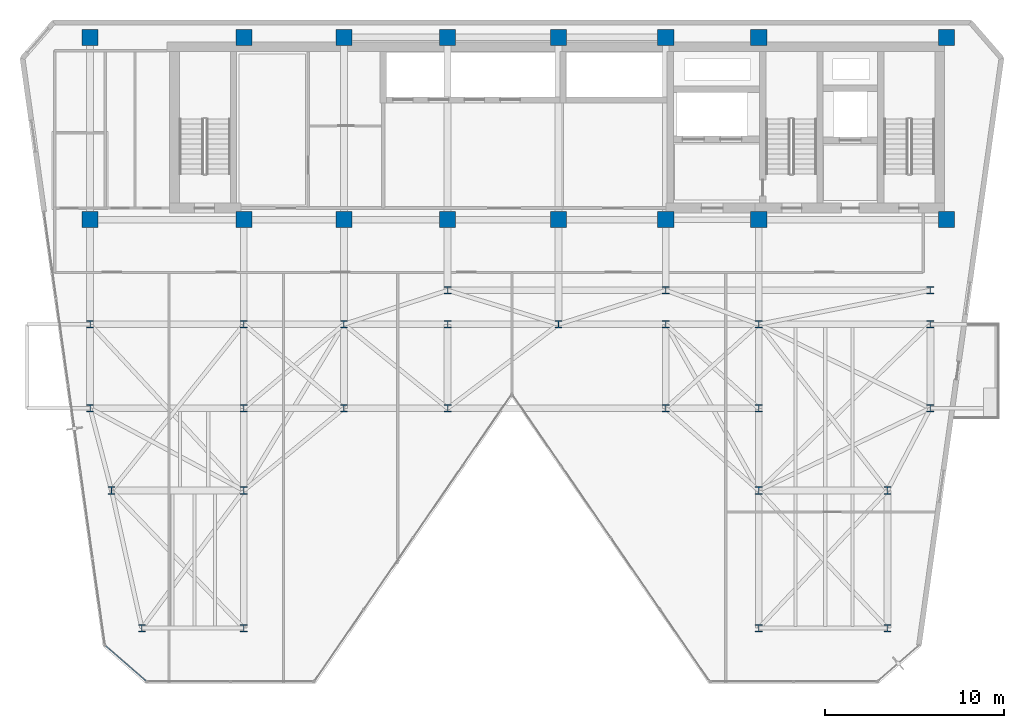
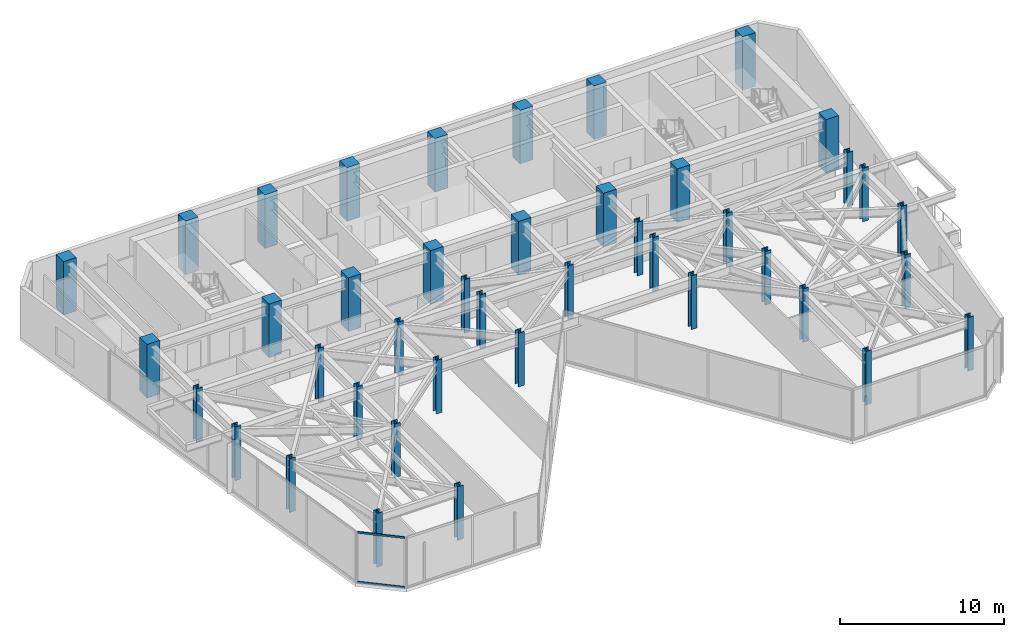
# One storey, part 1 of 27: 42 columns, 2 members, 1 element without a shape of its own.
"""IFC4 building model written with IfcOpenShell, lengths in metres."""

from ifc_helpers import new_model, si_unit, direction, frame, origin, origin_2d, place, context, subcontext, project, spatial, rectangle, hollow_rectangle, i_section, extrude, material, layer, layer_set, material_profile, profile_set, type_object, element, aggregate, save


model = new_model("IFC4")

# Units and contexts
model_context = context("Model", 3, precision=1e-05, world=origin(), true_north=direction((0.0, 1.0)))
body_context = subcontext(model_context, "Body", "Model", "MODEL_VIEW")
ifc_project = project(units=[si_unit("LENGTHUNIT", "METRE"), si_unit("AREAUNIT", "SQUARE_METRE"), si_unit("VOLUMEUNIT", "CUBIC_METRE"), si_unit("PLANEANGLEUNIT", "RADIAN"), si_unit("MASSUNIT", "GRAM", prefix="KILO")], contexts=[model_context])

# Site, building, storey
site_placement = place(None, origin())
site = spatial("IfcSite", under=ifc_project, at=site_placement, CompositionType="ELEMENT")
building_placement = place(site_placement, origin())
building = spatial("IfcBuilding", under=site, at=building_placement, Name="Kravanh Interchange Tower", CompositionType="ELEMENT")
storey_placement = place(building_placement, frame((0.0, 0.0, 164.5)))
storey = spatial("IfcBuildingStorey", under=building, at=storey_placement, Name="L39", CompositionType="ELEMENT", Elevation=164.5)

# Columns
ifc_material_1 = material(Name="Concrete C60/75", Category="concrete")
ifc_material_profile_1 = material_profile(ifc_material_1, rectangle(XDim=0.89990234375, YDim=0.89990234375, at=origin_2d()), Name="RC900X900")
ifc_profile_set_1 = profile_set([ifc_material_profile_1], Name="Concrete C60/75")
column_type_1 = type_object("IfcColumnType", Name="Column RC900X900 Concrete C60/75", PredefinedType="COLUMN", material=ifc_profile_set_1)
for number, where, z_axis, x_axis, name in (
    (1, (66.5, 47.550048828125, 0.0), (0.0, 0.0, 1.0), (1.0, 0.0, 0.0), "L39 Column CS01"),
    (2, (56.0, 47.550048828125, 0.0), (0.0, 0.0, 1.0), (1.0, 0.0, 0.0), "L39 Column CS02"),
    (3, (66.5, 37.35009765625, 0.0), (0.0, 0.0, 1.0), (1.0, 0.0, 0.0), "L39 Column CS03"),
    (4, (56.0, 37.35009765625, 0.0), (0.0, 0.0, 1.0), (1.0, 0.0, 0.0), "L39 Column CS04"),
    (5, (50.800048828125, 47.550048828125, 0.0), (0.0, 0.0, 1.0), (1.0, 0.0, 0.0), "L39 Column CS05"),
    (6, (50.800048828125, 37.35009765625, 0.0), (0.0, 0.0, 1.0), (1.0, 0.0, 0.0), "L39 Column CS06"),
    (7, (44.800048828125, 37.35009765625, 0.0), (0.0, 0.0, 1.0), (1.0, 0.0, 0.0), "L39 Column CS07"),
    (8, (44.800048828125, 47.550048828125, 0.0), (0.0, 0.0, 1.0), (1.0, 0.0, 0.0), "L39 Column CS08"),
    (9, (38.60009765625, 37.35009765625, 0.0), (0.0, 0.0, 1.0), (1.0, 0.0, 0.0), "L39 Column CS09"),
    (10, (38.60009765625, 47.550048828125, 0.0), (0.0, 0.0, 1.0), (1.0, 0.0, 0.0), "L39 Column CS10"),
    (11, (32.800048828125, 37.35009765625, 0.0), (0.0, 0.0, 1.0), (1.0, 0.0, 0.0), "L39 Column CS11"),
    (12, (32.800048828125, 47.550048828125, 0.0), (0.0, 0.0, 1.0), (1.0, 0.0, 0.0), "L39 Column CS12"),
    (13, (27.199951171875, 37.35009765625, 0.0), (0.0, 0.0, 1.0), (1.0, 0.0, 0.0), "L39 Column CS13"),
    (14, (27.199951171875, 47.550048828125, 0.0), (0.0, 0.0, 1.0), (1.0, 0.0, 0.0), "L39 Column CS14"),
    (15, (18.60009765625, 37.35009765625, 0.0), (0.0, 0.0, 1.0), (1.0, 0.0, 0.0), "L39 Column CS17"),
    (16, (18.60009765625, 47.550048828125, 0.0), (0.0, 0.0, 1.0), (1.0, 0.0, 0.0), "L39 Column CS18"),
):
    element("IfcColumn", number, at=place(storey_placement, frame(where, z_axis=z_axis, x_axis=x_axis)), inside=storey, type_object=column_type_1, Name=name, PredefinedType="COLUMN", context=body_context, shape_type="SweptSolid", body=[
        extrude(rectangle(XDim=0.89990234375, YDim=0.89990234375, at=origin_2d()), origin(), (0.0, 0.0, 1.0), 4.0),
    ])
ifc_material_2 = material(Name="Structural Steel S355", Category="steel")
ifc_material_profile_2 = material_profile(ifc_material_2, i_section(OverallWidth=0.408935546875, OverallDepth=0.425048828125, WebThickness=0.03271484375, FlangeThickness=0.052490234375, FilletRadius=0.030029296875, at=origin_2d()), Name="W14X283")
ifc_profile_set_2 = profile_set([ifc_material_profile_2], Name="Structural Steel S355")
column_type_2 = type_object("IfcColumnType", Name="Column W14X283 Structural Steel S355", PredefinedType="COLUMN", material=ifc_profile_set_2)
for number, where, z_axis, x_axis, name in (
    (17, (21.5, 14.5, 0.0), (0.0, 0.0, 1.0), (1.0, 0.0, 0.0), "L39 Column CZ3_1"),
    (18, (18.60009765625, 26.800048828125, 0.0), (0.0, 0.0, 1.0), (1.0, 0.0, 0.0), "L39 Column CZ3_11"),
    (19, (27.199951171875, 26.800048828125, 0.0), (0.0, 0.0, 1.0), (1.0, 0.0, 0.0), "L39 Column CZ3_12"),
    (20, (32.800048828125, 26.800048828125, 0.0), (0.0, 0.0, 1.0), (1.0, 0.0, 0.0), "L39 Column CZ3_13"),
    (21, (38.60009765625, 26.800048828125, 0.0), (0.0, 0.0, 1.0), (1.0, 0.0, 0.0), "L39 Column CZ3_13B"),
    (22, (50.800048828125, 26.800048828125, 0.0), (0.0, 0.0, 1.0), (1.0, 0.0, 0.0), "L39 Column CZ3_14"),
    (23, (56.0, 26.800048828125, 0.0), (0.0, 0.0, 1.0), (1.0, 0.0, 0.0), "L39 Column CZ3_15"),
    (24, (65.60009765625, 26.800048828125, 0.0), (0.0, 0.0, 1.0), (1.0, 0.0, 0.0), "L39 Column CZ3_16"),
    (25, (18.60009765625, 31.5, 0.0), (0.0, 0.0, 1.0), (1.0, 0.0, 0.0), "L39 Column CZ3_17"),
    (26, (27.199951171875, 31.5, 0.0), (0.0, 0.0, 1.0), (1.0, 0.0, 0.0), "L39 Column CZ3_18"),
    (27, (32.800048828125, 31.5, 0.0), (0.0, 0.0, 1.0), (1.0, 0.0, 0.0), "L39 Column CZ3_19"),
    (28, (27.199951171875, 14.5, 0.0), (0.0, 0.0, 1.0), (1.0, 0.0, 0.0), "L39 Column CZ3_2"),
    (29, (38.60009765625, 31.5, 0.0), (0.0, 0.0, 1.0), (1.0, 0.0, 0.0), "L39 Column CZ3_20"),
    (30, (44.800048828125, 31.5, 0.0), (0.0, 0.0, 1.0), (1.0, 0.0, 0.0), "L39 Column CZ3_21"),
    (31, (50.800048828125, 31.5, 0.0), (0.0, 0.0, 1.0), (1.0, 0.0, 0.0), "L39 Column CZ3_22"),
    (32, (56.0, 31.5, 0.0), (0.0, 0.0, 1.0), (1.0, 0.0, 0.0), "L39 Column CZ3_23"),
    (33, (65.60009765625, 31.5, 0.0), (0.0, 0.0, 1.0), (1.0, 0.0, 0.0), "L39 Column CZ3_24"),
    (34, (56.0, 14.5, 0.0), (0.0, 0.0, 1.0), (1.0, 0.0, 0.0), "L39 Column CZ3_3"),
    (35, (63.199951171875, 14.5, 0.0), (0.0, 0.0, 1.0), (1.0, 0.0, 0.0), "L39 Column CZ3_4"),
    (36, (19.800048828125, 22.199951171875, 0.0), (0.0, 0.0, 1.0), (1.0, 0.0, 0.0), "L39 Column CZ3_5"),
    (37, (27.199951171875, 22.199951171875, 0.0), (0.0, 0.0, 1.0), (1.0, 0.0, 0.0), "L39 Column CZ3_6"),
    (38, (56.0, 22.199951171875, 0.0), (0.0, 0.0, 1.0), (1.0, 0.0, 0.0), "L39 Column CZ3_8"),
    (39, (63.199951171875, 22.199951171875, 0.0), (0.0, 0.0, 1.0), (1.0, 0.0, 0.0), "L39 Column CZ3_9"),
    (40, (38.60009765625, 33.39990234375, 0.0), (0.0, 0.0, 1.0), (1.0, 0.0, 0.0), "L39 Column CZ3_M1"),
    (41, (50.800048828125, 33.39990234375, 0.0), (0.0, 0.0, 1.0), (1.0, 0.0, 0.0), "L39 Column CZ3_M2"),
    (42, (65.60009765625, 33.39990234375, 0.0), (0.0, 0.0, 1.0), (1.0, 0.0, 0.0), "L39 Column CZ3_M3"),
):
    element("IfcColumn", number, at=place(storey_placement, frame(where, z_axis=z_axis, x_axis=x_axis)), inside=storey, type_object=column_type_2, Name=name, PredefinedType="COLUMN", context=body_context, shape_type="SweptSolid", body=[
        extrude(i_section(OverallWidth=0.408935546875, OverallDepth=0.425048828125, WebThickness=0.03271484375, FlangeThickness=0.052490234375, FilletRadius=0.030029296875, at=origin_2d()), origin(), (0.0, 0.0, 1.0), 4.0),
    ])

# Curtain wall, members
ifc_material_3 = material(Name="Anodised Bronze Aluminium", Category="aluminium")
ifc_layer = layer(ifc_material_3, 0.179931640625)
ifc_layer_set = layer_set([ifc_layer], Name="Unitised Curtain Wall System CW-Z3 Upper Office")
curtain_wall_type = type_object("IfcCurtainWallType", Name="Unitised Curtain Wall System CW-Z3 Upper Office", PredefinedType="NOTDEFINED", material=ifc_layer_set)
curtain_wall_placement = place(storey_placement, origin())
curtain_wall = element("IfcCurtainWall", 43, at=curtain_wall_placement, inside=storey, type_object=curtain_wall_type, Name="L39 Unitised Curtain Wall CW-L39-07", PredefinedType="NOTDEFINED")
ifc_material_4 = material(Name="Anodised Bronze Aluminium", Category="aluminium")
ifc_material_profile_3 = material_profile(ifc_material_4, hollow_rectangle(XDim=0.06005859375, YDim=0.139892578125, WallThickness=0.00390625, at=origin_2d()), Name="ALU60X140X4")
ifc_profile_set_3 = profile_set([ifc_material_profile_3], Name="Anodised Bronze Aluminium")
member_type = type_object("IfcMemberType", Name="Curtain Wall Transom ALU60X140X4 Bronze", PredefinedType="USERDEFINED", material=ifc_profile_set_3)
member_1_placement = place(storey_placement, frame((21.713623046875, 11.559326171875, 0.030029296875), z_axis=(-0.754708504141, 0.656060266879, 0.0), x_axis=(-0.656060266879, -0.754708504141, 0.0)))
member_1 = element("IfcMember", 44, at=member_1_placement, type_object=member_type, Name="CW-Z3 transom 1.1", ObjectType="TRANSOM", PredefinedType="USERDEFINED", context=body_context, shape_type="SweptSolid", body=[
    extrude(hollow_rectangle(XDim=0.06005859375, YDim=0.139892578125, WallThickness=0.00390625, at=origin_2d()), origin(), (0.0, 0.0, 1.0), 2.9599609375),
])
member_2_placement = place(storey_placement, frame((21.713623046875, 11.559326171875, 3.72509765625), z_axis=(-0.754708504141, 0.656060266879, 0.0), x_axis=(-0.656060266879, -0.754708504141, 0.0)))
member_2 = element("IfcMember", 45, at=member_2_placement, type_object=member_type, Name="CW-Z3 transom 1.2", ObjectType="TRANSOM", PredefinedType="USERDEFINED", context=body_context, shape_type="SweptSolid", body=[
    extrude(hollow_rectangle(XDim=0.06005859375, YDim=0.139892578125, WallThickness=0.00390625, at=origin_2d()), origin(), (0.0, 0.0, 1.0), 2.9599609375),
])
aggregate(curtain_wall, [member_1, member_2])

save(model, "model.ifc")
